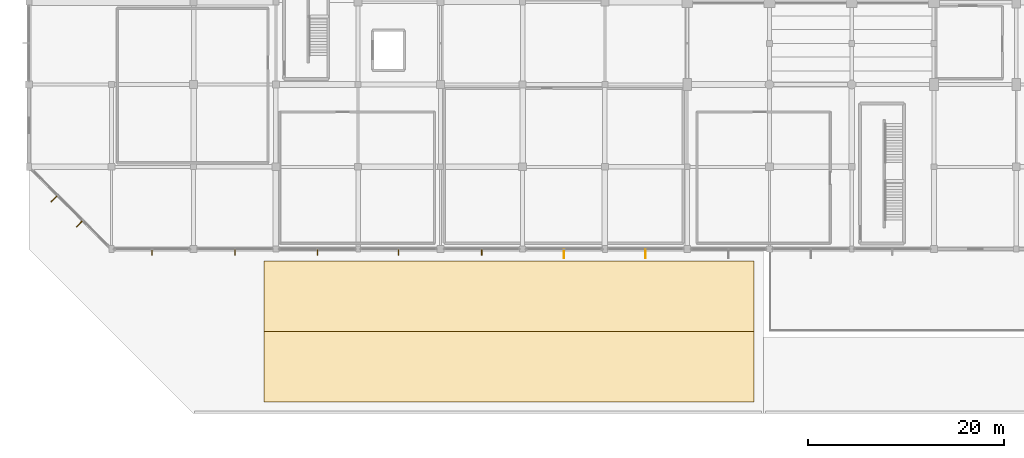
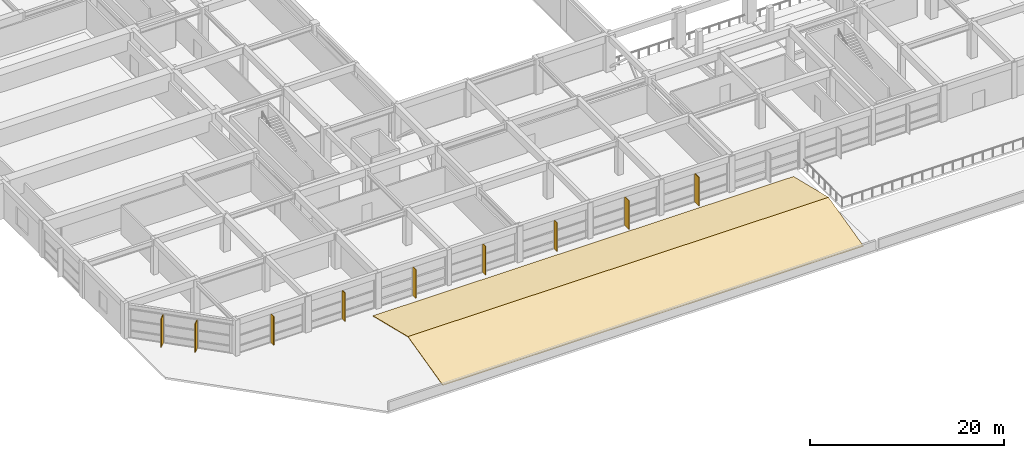
# One storey, part 52 of 60: 9 shading devices, 2 coverings.
"""IFC4 building model written with IfcOpenShell, lengths in metres."""

from ifc_helpers import new_model, si_unit, direction, frame, origin, origin_2d, place, context, subcontext, project, spatial, polyline, rectangle, outline, extrude, material, layer, layer_set, type_object, element, save


model = new_model("IFC4")

# Units and contexts
model_context = context("Model", 3, precision=1e-05, world=origin(), true_north=direction((0.0, 1.0)))
body_context = subcontext(model_context, "Body", "Model", "MODEL_VIEW")
ifc_project = project(units=[si_unit("LENGTHUNIT", "METRE"), si_unit("AREAUNIT", "SQUARE_METRE"), si_unit("VOLUMEUNIT", "CUBIC_METRE"), si_unit("PLANEANGLEUNIT", "RADIAN"), si_unit("MASSUNIT", "GRAM", prefix="KILO")], contexts=[model_context])

# Site, building, storey
site_placement = place(None, origin())
site = spatial("IfcSite", under=ifc_project, at=site_placement, CompositionType="ELEMENT")
building_placement = place(site_placement, origin())
building = spatial("IfcBuilding", under=site, at=building_placement, Name="Xuanlan Plaza Opera House", CompositionType="ELEMENT")
storey_placement = place(building_placement, frame((0.0, 0.0, 9.89990234375)))
storey = spatial("IfcBuildingStorey", under=building, at=storey_placement, Name="L02", CompositionType="ELEMENT", Elevation=9.89990234375)

# Coverings
ifc_material = material(Name="Anodised Aluminium 6063-T6", Category="aluminium")
ifc_layer = layer(ifc_material, 0.070068359375)
ifc_layer_set = layer_set([ifc_layer], Name="Anodised Aluminium 6063-T6")
covering_type = type_object("IfcCoveringType", Name="ENV-COV-RF03", PredefinedType="ROOFING", material=ifc_layer_set)
covering_1_placement = place(storey_placement, frame((24.0, 1.199951171875, 0.070068359375), z_axis=(0.0, -0.236180897899, 0.971709104345), x_axis=(1.0, 0.0, 0.0)))
element("IfcCovering", 1, at=covering_1_placement, inside=storey, type_object=covering_type, Name="Acoustic Standing-Seam Folded Roof Facet COV-RF-PODS-1", PredefinedType="ROOFING", context=body_context, shape_type="SweptSolid", body=[
    extrude(outline(polyline([(0.0, 0.0), (50.0, 0.0), (50.0, 7.409574676), (0.0, 7.409574676), (0.0, 0.0)])), origin(), (0.0, 0.0, -1.0), 0.070068359375),
])
covering_2_placement = place(storey_placement, frame((24.0, 8.39990234375, 1.820068359375), z_axis=(0.0, 0.236173336288, 0.971710942218), x_axis=(1.0, 0.0, 0.0)))
element("IfcCovering", 2, at=covering_2_placement, inside=storey, type_object=covering_type, Name="Acoustic Standing-Seam Folded Roof Facet COV-RF-PODS-2", PredefinedType="ROOFING", context=body_context, shape_type="SweptSolid", body=[
    extrude(outline(polyline([(0.0, 0.0), (50.0, 0.0), (50.0, 7.40981191), (0.0, 7.40981191), (0.0, 0.0)])), origin(), (0.0, 0.0, -1.0), 0.070068359375),
])

# Shading devices
shading_device_type_1 = type_object("IfcShadingDeviceType", Name="ENV-SHD-BRS01", PredefinedType="JALOUSIE", material=ifc_material)
for number, where, z_axis, x_axis, name in (
    (3, (12.550048828125, 16.47509765625, 0.0400390625), (0.0, 0.0, 1.0), (0.0, -1.0, 0.0), "Parametric Sunshade Fin L02-0100"),
    (4, (21.02490234375, 16.47509765625, 0.0400390625), (0.0, 0.0, 1.0), (0.0, -1.0, 0.0), "Parametric Sunshade Fin L02-0101"),
    (5, (29.4375, 16.47509765625, 0.0400390625), (0.0, 0.0, 1.0), (0.0, -1.0, 0.0), "Parametric Sunshade Fin L02-0102"),
    (6, (37.737548828125, 16.47509765625, 0.0400390625), (0.0, 0.0, 1.0), (0.0, -1.0, 0.0), "Parametric Sunshade Fin L02-0103"),
    (7, (46.22509765625, 16.47509765625, 0.0400390625), (0.0, 0.0, 1.0), (0.0, -1.0, 0.0), "Parametric Sunshade Fin L02-0104"),
):
    element("IfcShadingDevice", number, at=place(storey_placement, frame(where, z_axis=z_axis, x_axis=x_axis)), inside=storey, type_object=shading_device_type_1, Name=name, PredefinedType="JALOUSIE", context=body_context, shape_type="SweptSolid", body=[
        extrude(rectangle(XDim=0.639892578125, YDim=0.070068359375, at=origin_2d()), origin(), (0.0, 0.0, 1.0), 3.60009765625),
    ])
shading_device_type_2 = type_object("IfcShadingDeviceType", Name="ENV-SHD-BRS02", PredefinedType="JALOUSIE", material=ifc_material)
for number, where, z_axis, x_axis, name in (
    (8, (54.625, 16.3349609375, 0.0400390625), (0.0, 0.0, 1.0), (0.0, -1.0, 0.0), "Parametric Sunshade Fin L02-0105"),
    (9, (62.949951171875, 16.3349609375, 0.0400390625), (0.0, 0.0, 1.0), (0.0, -1.0, 0.0), "Parametric Sunshade Fin L02-0106"),
    (10, (2.58740234375, 21.954833984375, 0.0400390625), (0.0, 0.0, 1.0), (-0.707106781187, -0.707106781187, 0.0), "Parametric Sunshade Fin L02-0145"),
    (11, (5.15478515625, 19.387451171875, 0.0400390625), (0.0, 0.0, 1.0), (-0.707106781187, -0.707106781187, 0.0), "Parametric Sunshade Fin L02-0146"),
):
    element("IfcShadingDevice", number, at=place(storey_placement, frame(where, z_axis=z_axis, x_axis=x_axis)), inside=storey, type_object=shading_device_type_2, Name=name, PredefinedType="JALOUSIE", context=body_context, shape_type="SweptSolid", body=[
        extrude(rectangle(XDim=0.919921875, YDim=0.080078125, at=origin_2d()), origin(), (0.0, 0.0, 1.0), 3.60009765625),
    ])

save(model, "model.ifc")
